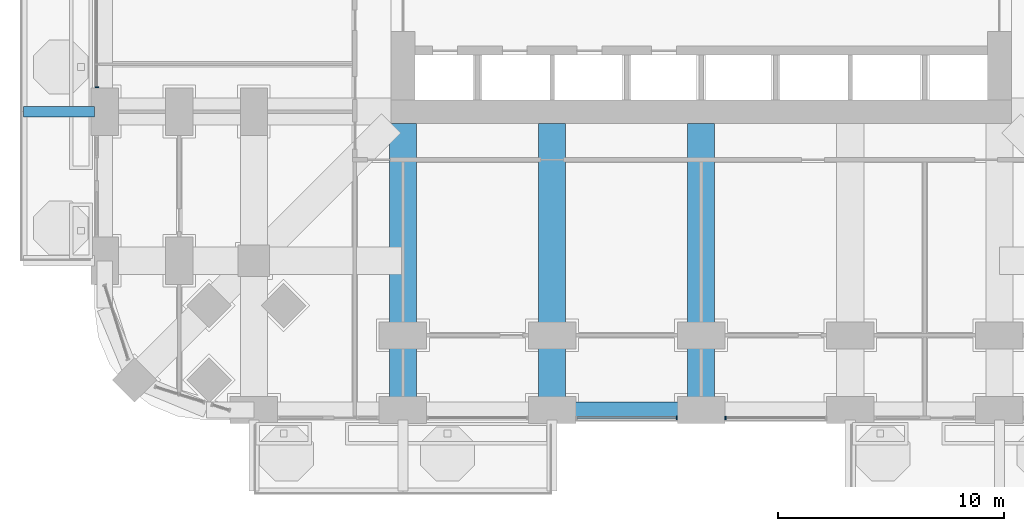
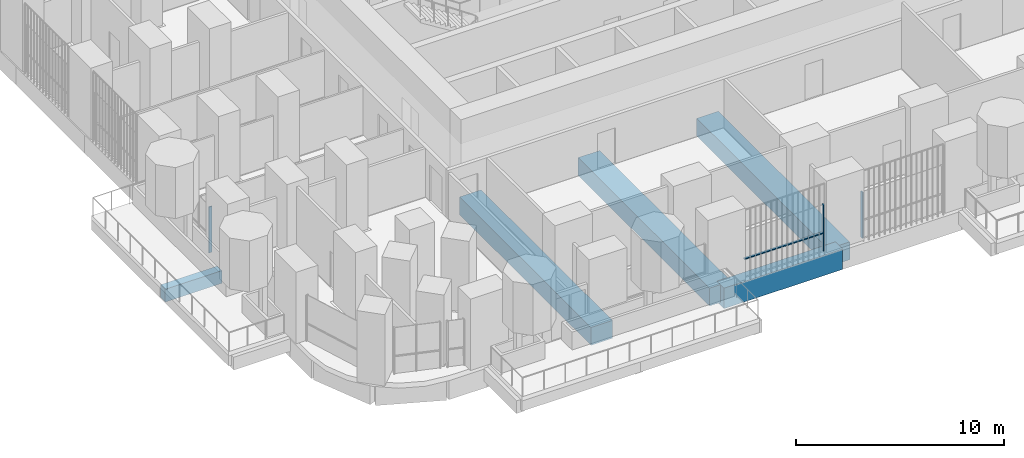
# One storey, part 3 of 27: 5 beams, 4 members, 3 elements without a shape of their own.
"""IFC4 building model written with IfcOpenShell, lengths in metres."""

from ifc_helpers import new_model, si_unit, direction, frame, origin, origin_2d, place, context, subcontext, project, spatial, rectangle, extrude, material, material_profile, profile_set, type_object, element, aggregate, save


model = new_model("IFC4")

# Units and contexts
model_context = context("Model", 3, precision=1e-05, world=origin(), true_north=direction((0.0, 1.0)))
body_context = subcontext(model_context, "Body", "Model", "MODEL_VIEW")
ifc_project = project(units=[si_unit("LENGTHUNIT", "METRE"), si_unit("AREAUNIT", "SQUARE_METRE"), si_unit("VOLUMEUNIT", "CUBIC_METRE"), si_unit("PLANEANGLEUNIT", "RADIAN"), si_unit("MASSUNIT", "GRAM", prefix="KILO")], contexts=[model_context])

# Site, building, storey
site_placement = place(None, origin())
site = spatial("IfcSite", under=ifc_project, at=site_placement, CompositionType="ELEMENT")
building_placement = place(site_placement, origin())
building = spatial("IfcBuilding", under=site, at=building_placement, Name="Cobogo Forest Laboratory Tower", CompositionType="ELEMENT")
storey_placement = place(building_placement, frame((0.0, 0.0, 29.699951171875)))
storey = spatial("IfcBuildingStorey", under=building, at=storey_placement, Name="L06", CompositionType="ELEMENT", Elevation=29.699951171875)

# Beams
ifc_material_1 = material(Name="Concrete HA-40 (C40/50)", Category="concrete")
ifc_material_profile_1 = material_profile(ifc_material_1, rectangle(XDim=0.449951171875, YDim=0.75, at=origin_2d()), Name="RC 450x750")
ifc_profile_set_1 = profile_set([ifc_material_profile_1], Name="Concrete HA-40 (C40/50)")
beam_type_1 = type_object("IfcBeamType", Name="Balcony cantilever beam 450x750", PredefinedType="BEAM", material=ifc_profile_set_1)
beam_1_placement = place(storey_placement, frame((-0.449951171875, 13.199951171875, -0.625), z_axis=(-1.0, 0.0, 0.0), x_axis=(0.0, -1.0, 0.0)))
element("IfcBeam", 1, at=beam_1_placement, inside=storey, type_object=beam_type_1, Name="CB1 BAL-W1-C2 L06", PredefinedType="BEAM", context=body_context, shape_type="SweptSolid", body=[
    extrude(rectangle(XDim=0.449951171875, YDim=0.75, at=origin_2d()), origin(), (0.0, 0.0, 1.0), 3.150146484375),
])
ifc_material_profile_2 = material_profile(ifc_material_1, rectangle(XDim=1.199951171875, YDim=1.050048828125, at=origin_2d()), Name="RC 1200x1050")
ifc_profile_set_2 = profile_set([ifc_material_profile_2], Name="Concrete HA-40 (C40/50)")
beam_type_2 = type_object("IfcBeamType", Name="Laboratory floor wide beam 1200x1050", PredefinedType="BEAM", material=ifc_profile_set_2)
for number, where, z_axis, x_axis, name in (
    (2, (13.199951171875, 12.675048828125, -0.824951171875), (0.0, -1.0, 0.0), (1.0, 0.0, 0.0), "RB1 R-3-S L06"),
    (3, (19.800048828125, 12.675048828125, -0.824951171875), (0.0, -1.0, 0.0), (1.0, 0.0, 0.0), "RB1 R-4-S L06"),
    (4, (26.39990234375, 12.675048828125, -0.824951171875), (0.0, -1.0, 0.0), (1.0, 0.0, 0.0), "RB1 R-5-S L06"),
):
    element("IfcBeam", number, at=place(storey_placement, frame(where, z_axis=z_axis, x_axis=x_axis)), inside=storey, type_object=beam_type_2, Name=name, PredefinedType="BEAM", context=body_context, shape_type="SweptSolid", body=[
        extrude(rectangle(XDim=1.199951171875, YDim=1.050048828125, at=origin_2d()), origin(), (0.0, 0.0, 1.0), 12.675048828125),
    ])

# Curtain wall, member
ifc_material_2 = material(Name="Aluminium curtain wall", Category="aluminium")
curtain_wall_type = type_object("IfcCurtainWallType", Name="CW-1 unitised curtain wall, clear glazing, laboratory floors zones A and B", PredefinedType="USERDEFINED", material=ifc_material_2)
curtain_wall_1_placement = place(storey_placement, origin())
curtain_wall_1 = element("IfcCurtainWall", 5, at=curtain_wall_1_placement, inside=storey, type_object=curtain_wall_type, Name="Curtain wall 03 L06", ObjectType="UNITISED CURTAIN WALL", PredefinedType="USERDEFINED")
ifc_material_3 = material(Name="Aluminium mullion", Category="aluminium")
ifc_material_profile_3 = material_profile(ifc_material_3, rectangle(XDim=0.06005859375, YDim=0.159912109375, at=origin_2d()), Name="AL 60x160")
ifc_profile_set_3 = profile_set([ifc_material_profile_3], Name="Aluminium mullion")
member_type_1 = type_object("IfcMemberType", Name="MU-1 aluminium mullion 60x160", PredefinedType="MULLION", material=ifc_profile_set_3)
member_1_placement = place(storey_placement, frame((25.320068359375, -0.35009765625, 0.0), z_axis=(0.0, 0.0, 1.0), x_axis=(1.0, 0.0, 0.0)))
member_1 = element("IfcMember", 6, at=member_1_placement, type_object=member_type_1, Name="CW-1 mullion 2", PredefinedType="MULLION", context=body_context, shape_type="SweptSolid", body=[
    extrude(rectangle(XDim=0.06005859375, YDim=0.159912109375, at=origin_2d()), origin(), (0.0, 0.0, 1.0), 2.699951171875),
])

curtain_wall_2_placement = place(storey_placement, origin())
curtain_wall_2 = element("IfcCurtainWall", 7, at=curtain_wall_2_placement, inside=storey, type_object=curtain_wall_type, Name="Curtain wall 04 L06", ObjectType="UNITISED CURTAIN WALL", PredefinedType="USERDEFINED")
member_2_placement = place(storey_placement, frame((27.47998046875, -0.35009765625, 0.0), z_axis=(0.0, 0.0, 1.0), x_axis=(1.0, 0.0, 0.0)))
member_2 = element("IfcMember", 8, at=member_2_placement, type_object=member_type_1, Name="CW-1 mullion 1", PredefinedType="MULLION", context=body_context, shape_type="SweptSolid", body=[
    extrude(rectangle(XDim=0.06005859375, YDim=0.159912109375, at=origin_2d()), origin(), (0.0, 0.0, 1.0), 2.699951171875),
])
aggregate(curtain_wall_2, [member_2])

curtain_wall_3_placement = place(storey_placement, origin())
curtain_wall_3 = element("IfcCurtainWall", 9, at=curtain_wall_3_placement, inside=storey, type_object=curtain_wall_type, Name="Curtain wall 30 L06", ObjectType="UNITISED CURTAIN WALL", PredefinedType="USERDEFINED")
member_3_placement = place(storey_placement, frame((-0.35009765625, 14.280029296875, 0.0), z_axis=(0.0, 0.0, 1.0), x_axis=(0.0, -1.0, 0.0)))
member_3 = element("IfcMember", 10, at=member_3_placement, type_object=member_type_1, Name="CW-1 mullion 3", PredefinedType="MULLION", context=body_context, shape_type="SweptSolid", body=[
    extrude(rectangle(XDim=0.06005859375, YDim=0.159912109375, at=origin_2d()), origin(), (0.0, 0.0, 1.0), 2.699951171875),
])
aggregate(curtain_wall_3, [member_3])

# Beam
ifc_material_profile_4 = material_profile(ifc_material_1, rectangle(XDim=0.699951171875, YDim=1.199951171875, at=origin_2d()), Name="RC 700x1200")
ifc_profile_set_4 = profile_set([ifc_material_profile_4], Name="Concrete HA-40 (C40/50)")
beam_type_3 = type_object("IfcBeamType", Name="Perimeter edge beam 700x1200", PredefinedType="BEAM", material=ifc_profile_set_4)
beam_2_placement = place(storey_placement, frame((19.800048828125, 0.0, -0.89990234375), z_axis=(1.0, 0.0, 0.0), x_axis=(0.0, 1.0, 0.0)))
element("IfcBeam", 11, at=beam_2_placement, inside=storey, type_object=beam_type_3, Name="EB1 E-S3 L06", PredefinedType="BEAM", context=body_context, shape_type="SweptSolid", body=[
    extrude(rectangle(XDim=0.699951171875, YDim=1.199951171875, at=origin_2d()), origin(), (0.0, 0.0, 1.0), 6.599853515625),
])

# Member
ifc_material_4 = material(Name="Aluminium transom", Category="aluminium")
ifc_material_profile_5 = material_profile(ifc_material_4, rectangle(XDim=0.1201171875, YDim=0.06005859375, at=origin_2d()), Name="AL 60x120")
ifc_profile_set_5 = profile_set([ifc_material_profile_5], Name="Aluminium transom")
member_type_2 = type_object("IfcMemberType", Name="TR-1 aluminium transom 60x120", PredefinedType="USERDEFINED", material=ifc_profile_set_5)
member_4_placement = place(storey_placement, frame((20.909912109375, -0.35009765625, 1.050048828125), z_axis=(1.0, 0.0, 0.0), x_axis=(0.0, 1.0, 0.0)))
member_4 = element("IfcMember", 12, at=member_4_placement, type_object=member_type_2, Name="CW-1 transom 1.1", ObjectType="TRANSOM", PredefinedType="USERDEFINED", context=body_context, shape_type="SweptSolid", body=[
    extrude(rectangle(XDim=0.1201171875, YDim=0.06005859375, at=origin_2d()), origin(), (0.0, 0.0, 1.0), 4.380126953125),
])

aggregate(curtain_wall_1, [member_1, member_4])

save(model, "model.ifc")
